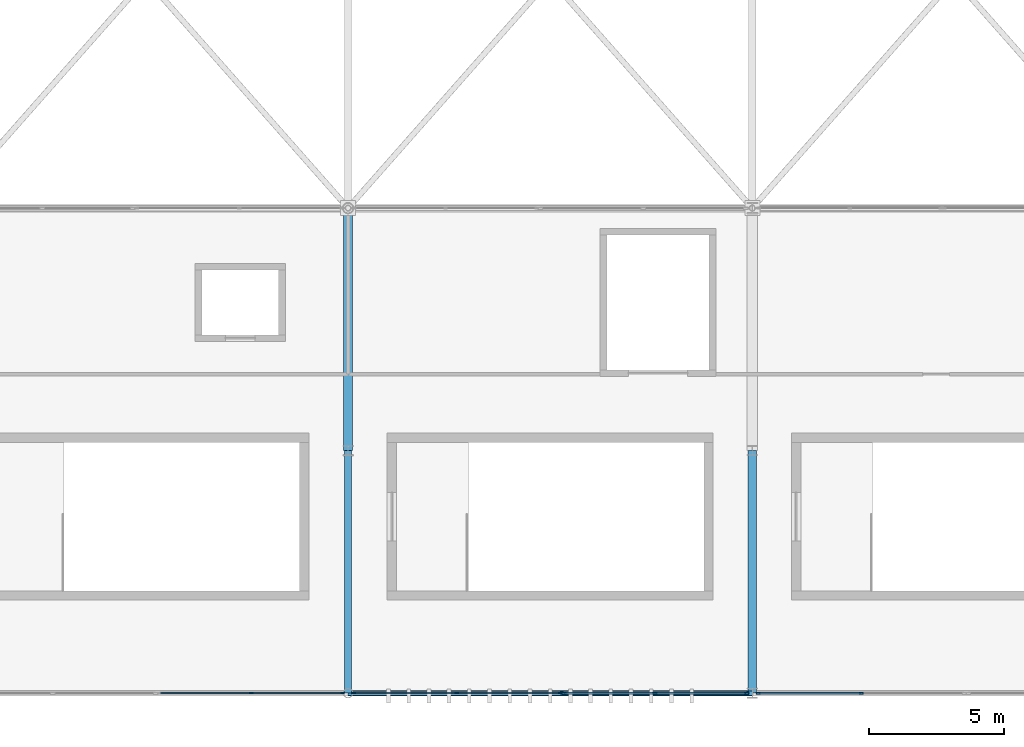
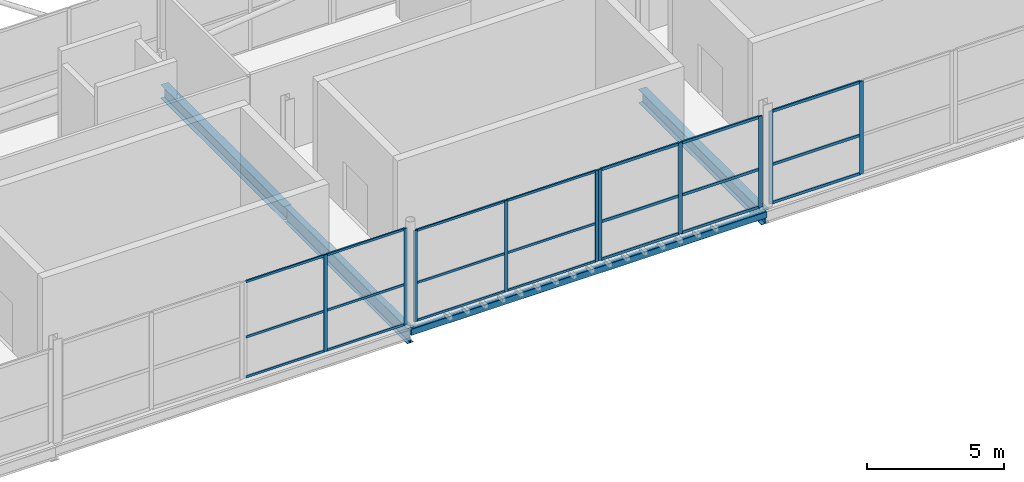
# One storey, part 48 of 224: 31 members, 4 beams, 4 elements without a shape of their own.
"""IFC4 building model written with IfcOpenShell, lengths in metres."""

from ifc_helpers import new_model, si_unit, direction, frame, origin, origin_2d, place, context, subcontext, project, spatial, rectangle, hollow_rectangle, i_section, extrude, material, layer, layer_set, material_profile, profile_set, type_object, element, aggregate, save


model = new_model("IFC4")

# Units and contexts
model_context = context("Model", 3, precision=1e-05, world=origin(), true_north=direction((0.0, 1.0)))
body_context = subcontext(model_context, "Body", "Model", "MODEL_VIEW")
ifc_project = project(units=[si_unit("LENGTHUNIT", "METRE"), si_unit("AREAUNIT", "SQUARE_METRE"), si_unit("VOLUMEUNIT", "CUBIC_METRE"), si_unit("PLANEANGLEUNIT", "RADIAN"), si_unit("MASSUNIT", "GRAM", prefix="KILO")], contexts=[model_context])

# Site, building, storey
site_placement = place(None, origin())
site = spatial("IfcSite", under=ifc_project, at=site_placement, CompositionType="ELEMENT")
building_placement = place(site_placement, origin())
building = spatial("IfcBuilding", under=site, at=building_placement, Name="Qamarlyn Nura Convention Centre", CompositionType="ELEMENT")
storey_placement = place(building_placement, frame((0.0, 0.0, 10.800048828125)))
storey = spatial("IfcBuildingStorey", under=building, at=storey_placement, Name="L02", CompositionType="ELEMENT", Elevation=10.800048828125)

# Beams
ifc_material_1 = material(Name="Steel ASTM A992", Category="steel")
ifc_material_profile_1 = material_profile(ifc_material_1, i_section(OverallWidth=0.323974609375, OverallDepth=0.611083984375, WebThickness=0.0126953125, FlangeThickness=0.01904296875, FilletRadius=0.01611328125, at=origin_2d()), Name="W610X155")
ifc_profile_set_1 = profile_set([ifc_material_profile_1], Name="Steel ASTM A992")
beam_type_1 = type_object("IfcBeamType", Name="BM-GIRD-610", PredefinedType="BEAM", material=ifc_profile_set_1)
for number, where, z_axis, x_axis, name in (
    (1, (90.0, 9.0, -0.525634765625), (0.0, 1.0, 0.0), (-1.0, 0.0, 0.0), "L02 girder 7 B-C"),
    (2, (105.0, 0.0, -0.525634765625), (0.0, 1.0, 0.0), (-1.0, 0.0, 0.0), "L02 girder 8 A-B"),
):
    element("IfcBeam", number, at=place(storey_placement, frame(where, z_axis=z_axis, x_axis=x_axis)), inside=storey, type_object=beam_type_1, Name=name, PredefinedType="BEAM", context=body_context, shape_type="SweptSolid", body=[
        extrude(i_section(OverallWidth=0.323974609375, OverallDepth=0.611083984375, WebThickness=0.0126953125, FlangeThickness=0.01904296875, FilletRadius=0.01611328125, at=origin_2d()), origin(), (0.0, 0.0, 1.0), 9.0),
    ])
ifc_material_profile_2 = material_profile(ifc_material_1, i_section(OverallWidth=0.25390625, OverallDepth=0.68408203125, WebThickness=0.012451171875, FlangeThickness=0.01904296875, FilletRadius=0.01806640625, at=origin_2d()), Name="W690X140")
ifc_profile_set_2 = profile_set([ifc_material_profile_2], Name="Steel ASTM A992")
beam_type_2 = type_object("IfcBeamType", Name="BM-GIRD-690B", PredefinedType="BEAM", material=ifc_profile_set_2)
beam_1_placement = place(storey_placement, frame((90.0, 0.0, -0.56201171875), z_axis=(0.0, 1.0, 0.0), x_axis=(-1.0, 0.0, 0.0)))
element("IfcBeam", 3, at=beam_1_placement, inside=storey, type_object=beam_type_2, Name="L02 girder 7 A-B", PredefinedType="BEAM", context=body_context, shape_type="SweptSolid", body=[
    extrude(i_section(OverallWidth=0.25390625, OverallDepth=0.68408203125, WebThickness=0.012451171875, FlangeThickness=0.01904296875, FilletRadius=0.01806640625, at=origin_2d()), origin(), (0.0, 0.0, 1.0), 9.0),
])
ifc_material_2 = material(Name="Steel ASTM A500 Grade C", Category="steel")
ifc_material_profile_3 = material_profile(ifc_material_2, hollow_rectangle(XDim=0.199951171875, YDim=0.300048828125, WallThickness=0.012451171875, InnerFilletRadius=0.012451171875, OuterFilletRadius=0.02490234375, at=origin_2d()), Name="HSS300X200X12.5")
ifc_profile_set_3 = profile_set([ifc_material_profile_3], Name="Steel ASTM A500 Grade C")
beam_type_3 = type_object("IfcBeamType", Name="BM-SPAN-HSS", PredefinedType="SPANDREL", material=ifc_profile_set_3)
beam_2_placement = place(storey_placement, frame((90.0, 0.0, -0.3701171875), z_axis=(1.0, 0.0, 0.0), x_axis=(0.0, 1.0, 0.0)))
element("IfcBeam", 4, at=beam_2_placement, inside=storey, type_object=beam_type_3, Name="L02 girder A 7-8", PredefinedType="SPANDREL", context=body_context, shape_type="SweptSolid", body=[
    extrude(hollow_rectangle(XDim=0.199951171875, YDim=0.300048828125, WallThickness=0.012451171875, InnerFilletRadius=0.012451171875, OuterFilletRadius=0.02490234375, at=origin_2d()), origin(), (0.0, 0.0, 1.0), 15.0),
])

# Curtain wall, members
ifc_material_3 = material(Name="Double-silver low-E insulated glass", Category="glass")
ifc_layer_1 = layer(ifc_material_3, 0.179931640625, Name="CW-UNIT-27")
ifc_layer_set_1 = layer_set([ifc_layer_1], Name="Double-silver low-E insulated glass")
curtain_wall_type_1 = type_object("IfcCurtainWallType", Name="CW-UNIT-27", PredefinedType="NOTDEFINED", material=ifc_layer_set_1)
curtain_wall_1_placement = place(storey_placement, origin())
curtain_wall_1 = element("IfcCurtainWall", 5, at=curtain_wall_1_placement, inside=storey, type_object=curtain_wall_type_1, Name="L02 unitised curtain wall SF-S2-1A", PredefinedType="NOTDEFINED")
ifc_material_4 = material(Name="Champagne-anodised marine aluminium", Category="aluminium")
ifc_material_profile_4 = material_profile(ifc_material_4, rectangle(XDim=0.06005859375, YDim=0.139892578125, at=origin_2d()), Name="ALU MULLION 60x140")
ifc_profile_set_4 = profile_set([ifc_material_profile_4], Name="Champagne-anodised marine aluminium")
member_type_1 = type_object("IfcMemberType", Name="CWM-140", PredefinedType="MULLION", material=ifc_profile_set_4)
member_1_placement = place(storey_placement, frame((89.792236328125, 0.0, 0.0), z_axis=(0.0, 0.0, 1.0), x_axis=(0.0, -1.0, 0.0)))
member_1 = element("IfcMember", 6, at=member_1_placement, type_object=member_type_1, Name="CW27 mullion 1", PredefinedType="MULLION", context=body_context, shape_type="SweptSolid", body=[
    extrude(rectangle(XDim=0.06005859375, YDim=0.139892578125, at=origin_2d()), origin(), (0.0, 0.0, 1.0), 4.31005859375),
])
member_2_placement = place(storey_placement, frame((86.40234375, 0.0, 0.0), z_axis=(0.0, 0.0, 1.0), x_axis=(0.0, -1.0, 0.0)))
member_2 = element("IfcMember", 7, at=member_2_placement, type_object=member_type_1, Name="CW27 mullion 2", PredefinedType="MULLION", context=body_context, shape_type="SweptSolid", body=[
    extrude(rectangle(XDim=0.06005859375, YDim=0.139892578125, at=origin_2d()), origin(), (0.0, 0.0, 1.0), 4.31005859375),
])

ifc_layer_2 = layer(ifc_material_3, 0.179931640625, Name="CW-UNIT-30")
ifc_layer_set_2 = layer_set([ifc_layer_2], Name="Double-silver low-E insulated glass")
curtain_wall_type_2 = type_object("IfcCurtainWallType", Name="CW-UNIT-30", PredefinedType="NOTDEFINED", material=ifc_layer_set_2)
curtain_wall_2_placement = place(storey_placement, origin())
curtain_wall_2 = element("IfcCurtainWall", 8, at=curtain_wall_2_placement, inside=storey, type_object=curtain_wall_type_2, Name="L02 unitised curtain wall SF-S3-1B", PredefinedType="NOTDEFINED")
member_3_placement = place(storey_placement, frame((97.864501953125, 0.0, 0.0), z_axis=(0.0, 0.0, 1.0), x_axis=(0.0, -1.0, 0.0)))
member_3 = element("IfcMember", 9, at=member_3_placement, type_object=member_type_1, Name="CW30 mullion 1", PredefinedType="MULLION", context=body_context, shape_type="SweptSolid", body=[
    extrude(rectangle(XDim=0.06005859375, YDim=0.139892578125, at=origin_2d()), origin(), (0.0, 0.0, 1.0), 4.071044921875),
])
member_4_placement = place(storey_placement, frame((94.0361328125, 0.0, 0.0), z_axis=(0.0, 0.0, 1.0), x_axis=(0.0, -1.0, 0.0)))
member_4 = element("IfcMember", 10, at=member_4_placement, type_object=member_type_1, Name="CW30 mullion 2", PredefinedType="MULLION", context=body_context, shape_type="SweptSolid", body=[
    extrude(rectangle(XDim=0.06005859375, YDim=0.139892578125, at=origin_2d()), origin(), (0.0, 0.0, 1.0), 4.071044921875),
])
member_5_placement = place(storey_placement, frame((90.207763671875, 0.0, 0.0), z_axis=(0.0, 0.0, 1.0), x_axis=(0.0, -1.0, 0.0)))
member_5 = element("IfcMember", 11, at=member_5_placement, type_object=member_type_1, Name="CW30 mullion 3", PredefinedType="MULLION", context=body_context, shape_type="SweptSolid", body=[
    extrude(rectangle(XDim=0.06005859375, YDim=0.139892578125, at=origin_2d()), origin(), (0.0, 0.0, 1.0), 4.071044921875),
])

ifc_layer_3 = layer(ifc_material_3, 0.179931640625, Name="CW-UNIT-29")
ifc_layer_set_3 = layer_set([ifc_layer_3], Name="Double-silver low-E insulated glass")
curtain_wall_type_3 = type_object("IfcCurtainWallType", Name="CW-UNIT-29", PredefinedType="NOTDEFINED", material=ifc_layer_set_3)
curtain_wall_3_placement = place(storey_placement, origin())
curtain_wall_3 = element("IfcCurtainWall", 12, at=curtain_wall_3_placement, inside=storey, type_object=curtain_wall_type_3, Name="L02 unitised curtain wall SF-S3-1A", PredefinedType="NOTDEFINED")
ifc_material_profile_5 = material_profile(ifc_material_4, rectangle(XDim=0.06494140625, YDim=0.159912109375, at=origin_2d()), Name="ALU MULLION 65x160")
ifc_profile_set_5 = profile_set([ifc_material_profile_5], Name="Champagne-anodised marine aluminium")
member_type_2 = type_object("IfcMemberType", Name="CWM-160", PredefinedType="MULLION", material=ifc_profile_set_5)
member_6_placement = place(storey_placement, frame((104.780517578125, 0.0, 0.0), z_axis=(0.0, 0.0, 1.0), x_axis=(0.0, -1.0, 0.0)))
member_6 = element("IfcMember", 13, at=member_6_placement, type_object=member_type_2, Name="CW29 mullion 1", PredefinedType="MULLION", context=body_context, shape_type="SweptSolid", body=[
    extrude(rectangle(XDim=0.06494140625, YDim=0.159912109375, at=origin_2d()), origin(), (0.0, 0.0, 1.0), 4.071044921875),
])
member_7_placement = place(storey_placement, frame((101.393798828125, 0.0, 0.0), z_axis=(0.0, 0.0, 1.0), x_axis=(0.0, -1.0, 0.0)))
member_7 = element("IfcMember", 14, at=member_7_placement, type_object=member_type_2, Name="CW29 mullion 2", PredefinedType="MULLION", context=body_context, shape_type="SweptSolid", body=[
    extrude(rectangle(XDim=0.06494140625, YDim=0.159912109375, at=origin_2d()), origin(), (0.0, 0.0, 1.0), 4.071044921875),
])
member_8_placement = place(storey_placement, frame((98.007080078125, 0.0, 0.0), z_axis=(0.0, 0.0, 1.0), x_axis=(0.0, -1.0, 0.0)))
member_8 = element("IfcMember", 15, at=member_8_placement, type_object=member_type_2, Name="CW29 mullion 3", PredefinedType="MULLION", context=body_context, shape_type="SweptSolid", body=[
    extrude(rectangle(XDim=0.06494140625, YDim=0.159912109375, at=origin_2d()), origin(), (0.0, 0.0, 1.0), 4.071044921875),
])

ifc_layer_4 = layer(ifc_material_3, 0.179931640625, Name="CW-UNIT-26")
ifc_layer_set_4 = layer_set([ifc_layer_4], Name="Double-silver low-E insulated glass")
curtain_wall_type_4 = type_object("IfcCurtainWallType", Name="CW-UNIT-26", PredefinedType="NOTDEFINED", material=ifc_layer_set_4)
curtain_wall_4_placement = place(storey_placement, origin())
curtain_wall_4 = element("IfcCurtainWall", 16, at=curtain_wall_4_placement, inside=storey, type_object=curtain_wall_type_4, Name="L02 unitised curtain wall SF-S4-1B", PredefinedType="NOTDEFINED")
member_9_placement = place(storey_placement, frame((109.04345703125, 0.0, 0.0), z_axis=(0.0, 0.0, 1.0), x_axis=(0.0, -1.0, 0.0)))
member_9 = element("IfcMember", 17, at=member_9_placement, type_object=member_type_2, Name="CW26 mullion 2", PredefinedType="MULLION", context=body_context, shape_type="SweptSolid", body=[
    extrude(rectangle(XDim=0.06494140625, YDim=0.159912109375, at=origin_2d()), origin(), (0.0, 0.0, 1.0), 4.14404296875),
])
member_10_placement = place(storey_placement, frame((105.219482421875, 0.0, 0.0), z_axis=(0.0, 0.0, 1.0), x_axis=(0.0, -1.0, 0.0)))
member_10 = element("IfcMember", 18, at=member_10_placement, type_object=member_type_2, Name="CW26 mullion 3", PredefinedType="MULLION", context=body_context, shape_type="SweptSolid", body=[
    extrude(rectangle(XDim=0.06494140625, YDim=0.159912109375, at=origin_2d()), origin(), (0.0, 0.0, 1.0), 4.14404296875),
])

# Member
ifc_material_profile_6 = material_profile(ifc_material_4, rectangle(XDim=0.06005859375, YDim=0.10009765625, at=origin_2d()), Name="ALU TRANSOM 60x100")
ifc_profile_set_6 = profile_set([ifc_material_profile_6], Name="Champagne-anodised marine aluminium")
member_type_3 = type_object("IfcMemberType", Name="CWT-100", PredefinedType="USERDEFINED", material=ifc_profile_set_6)
member_11_placement = place(storey_placement, frame((89.76220703125, 0.0, 0.030029296875), z_axis=(-1.0, 0.0, 0.0), x_axis=(0.0, -1.0, 0.0)))
member_11 = element("IfcMember", 19, at=member_11_placement, type_object=member_type_3, Name="CW27 transom 1.1", ObjectType="TRANSOM", PredefinedType="USERDEFINED", context=body_context, shape_type="SweptSolid", body=[
    extrude(rectangle(XDim=0.06005859375, YDim=0.10009765625, at=origin_2d()), origin(), (0.0, 0.0, 1.0), 3.329833984375),
])

member_12_placement = place(storey_placement, frame((89.76220703125, 0.0, 1.81005859375), z_axis=(-1.0, 0.0, 0.0), x_axis=(0.0, -1.0, 0.0)))
member_12 = element("IfcMember", 20, at=member_12_placement, type_object=member_type_3, Name="CW27 transom 1.2", ObjectType="TRANSOM", PredefinedType="USERDEFINED", context=body_context, shape_type="SweptSolid", body=[
    extrude(rectangle(XDim=0.06005859375, YDim=0.10009765625, at=origin_2d()), origin(), (0.0, 0.0, 1.0), 3.329833984375),
])

member_13_placement = place(storey_placement, frame((89.76220703125, 0.0, 4.280029296875), z_axis=(-1.0, 0.0, 0.0), x_axis=(0.0, -1.0, 0.0)))
member_13 = element("IfcMember", 21, at=member_13_placement, type_object=member_type_3, Name="CW27 transom 1.3", ObjectType="TRANSOM", PredefinedType="USERDEFINED", context=body_context, shape_type="SweptSolid", body=[
    extrude(rectangle(XDim=0.06005859375, YDim=0.10009765625, at=origin_2d()), origin(), (0.0, 0.0, 1.0), 3.329833984375),
])

member_14_placement = place(storey_placement, frame((86.372314453125, 0.0, 0.030029296875), z_axis=(-1.0, 0.0, 0.0), x_axis=(0.0, -1.0, 0.0)))
member_14 = element("IfcMember", 22, at=member_14_placement, type_object=member_type_3, Name="CW27 transom 2.1", ObjectType="TRANSOM", PredefinedType="USERDEFINED", context=body_context, shape_type="SweptSolid", body=[
    extrude(rectangle(XDim=0.06005859375, YDim=0.10009765625, at=origin_2d()), origin(), (0.0, 0.0, 1.0), 3.329833984375),
])

member_15_placement = place(storey_placement, frame((86.372314453125, 0.0, 1.81005859375), z_axis=(-1.0, 0.0, 0.0), x_axis=(0.0, -1.0, 0.0)))
member_15 = element("IfcMember", 23, at=member_15_placement, type_object=member_type_3, Name="CW27 transom 2.2", ObjectType="TRANSOM", PredefinedType="USERDEFINED", context=body_context, shape_type="SweptSolid", body=[
    extrude(rectangle(XDim=0.06005859375, YDim=0.10009765625, at=origin_2d()), origin(), (0.0, 0.0, 1.0), 3.329833984375),
])

member_16_placement = place(storey_placement, frame((86.372314453125, 0.0, 4.280029296875), z_axis=(-1.0, 0.0, 0.0), x_axis=(0.0, -1.0, 0.0)))
member_16 = element("IfcMember", 24, at=member_16_placement, type_object=member_type_3, Name="CW27 transom 2.3", ObjectType="TRANSOM", PredefinedType="USERDEFINED", context=body_context, shape_type="SweptSolid", body=[
    extrude(rectangle(XDim=0.06005859375, YDim=0.10009765625, at=origin_2d()), origin(), (0.0, 0.0, 1.0), 3.329833984375),
])

aggregate(curtain_wall_1, [member_1, member_2, member_11, member_12, member_13, member_14, member_15, member_16])

member_17_placement = place(storey_placement, frame((97.83447265625, 0.0, 0.030029296875), z_axis=(-1.0, 0.0, 0.0), x_axis=(0.0, -1.0, 0.0)))
member_17 = element("IfcMember", 25, at=member_17_placement, type_object=member_type_3, Name="CW30 transom 1.1", ObjectType="TRANSOM", PredefinedType="USERDEFINED", context=body_context, shape_type="SweptSolid", body=[
    extrude(rectangle(XDim=0.06005859375, YDim=0.10009765625, at=origin_2d()), origin(), (0.0, 0.0, 1.0), 3.768310546875),
])

member_18_placement = place(storey_placement, frame((97.83447265625, 0.0, 1.7099609375), z_axis=(-1.0, 0.0, 0.0), x_axis=(0.0, -1.0, 0.0)))
member_18 = element("IfcMember", 26, at=member_18_placement, type_object=member_type_3, Name="CW30 transom 1.2", ObjectType="TRANSOM", PredefinedType="USERDEFINED", context=body_context, shape_type="SweptSolid", body=[
    extrude(rectangle(XDim=0.06005859375, YDim=0.10009765625, at=origin_2d()), origin(), (0.0, 0.0, 1.0), 3.768310546875),
])

member_19_placement = place(storey_placement, frame((97.83447265625, 0.0, 4.041015625), z_axis=(-1.0, 0.0, 0.0), x_axis=(0.0, -1.0, 0.0)))
member_19 = element("IfcMember", 27, at=member_19_placement, type_object=member_type_3, Name="CW30 transom 1.3", ObjectType="TRANSOM", PredefinedType="USERDEFINED", context=body_context, shape_type="SweptSolid", body=[
    extrude(rectangle(XDim=0.06005859375, YDim=0.10009765625, at=origin_2d()), origin(), (0.0, 0.0, 1.0), 3.768310546875),
])

member_20_placement = place(storey_placement, frame((94.006103515625, 0.0, 0.030029296875), z_axis=(-1.0, 0.0, 0.0), x_axis=(0.0, -1.0, 0.0)))
member_20 = element("IfcMember", 28, at=member_20_placement, type_object=member_type_3, Name="CW30 transom 2.1", ObjectType="TRANSOM", PredefinedType="USERDEFINED", context=body_context, shape_type="SweptSolid", body=[
    extrude(rectangle(XDim=0.06005859375, YDim=0.10009765625, at=origin_2d()), origin(), (0.0, 0.0, 1.0), 3.768310546875),
])

member_21_placement = place(storey_placement, frame((94.006103515625, 0.0, 1.7099609375), z_axis=(-1.0, 0.0, 0.0), x_axis=(0.0, -1.0, 0.0)))
member_21 = element("IfcMember", 29, at=member_21_placement, type_object=member_type_3, Name="CW30 transom 2.2", ObjectType="TRANSOM", PredefinedType="USERDEFINED", context=body_context, shape_type="SweptSolid", body=[
    extrude(rectangle(XDim=0.06005859375, YDim=0.10009765625, at=origin_2d()), origin(), (0.0, 0.0, 1.0), 3.768310546875),
])

member_22_placement = place(storey_placement, frame((94.006103515625, 0.0, 4.041015625), z_axis=(-1.0, 0.0, 0.0), x_axis=(0.0, -1.0, 0.0)))
member_22 = element("IfcMember", 30, at=member_22_placement, type_object=member_type_3, Name="CW30 transom 2.3", ObjectType="TRANSOM", PredefinedType="USERDEFINED", context=body_context, shape_type="SweptSolid", body=[
    extrude(rectangle(XDim=0.06005859375, YDim=0.10009765625, at=origin_2d()), origin(), (0.0, 0.0, 1.0), 3.768310546875),
])

aggregate(curtain_wall_2, [member_3, member_4, member_5, member_17, member_18, member_19, member_20, member_21, member_22])

ifc_material_profile_7 = material_profile(ifc_material_4, rectangle(XDim=0.06494140625, YDim=0.1201171875, at=origin_2d()), Name="ALU TRANSOM 65x120")
ifc_profile_set_7 = profile_set([ifc_material_profile_7], Name="Champagne-anodised marine aluminium")
member_type_4 = type_object("IfcMemberType", Name="CWT-120", PredefinedType="USERDEFINED", material=ifc_profile_set_7)
member_23_placement = place(storey_placement, frame((104.748046875, 0.0, 0.032470703125), z_axis=(-1.0, 0.0, 0.0), x_axis=(0.0, -1.0, 0.0)))
member_23 = element("IfcMember", 31, at=member_23_placement, type_object=member_type_4, Name="CW29 transom 1.1", ObjectType="TRANSOM", PredefinedType="USERDEFINED", context=body_context, shape_type="SweptSolid", body=[
    extrude(rectangle(XDim=0.06494140625, YDim=0.1201171875, at=origin_2d()), origin(), (0.0, 0.0, 1.0), 3.32177734375),
])

member_24_placement = place(storey_placement, frame((104.748046875, 0.0, 1.7099609375), z_axis=(-1.0, 0.0, 0.0), x_axis=(0.0, -1.0, 0.0)))
member_24 = element("IfcMember", 32, at=member_24_placement, type_object=member_type_4, Name="CW29 transom 1.2", ObjectType="TRANSOM", PredefinedType="USERDEFINED", context=body_context, shape_type="SweptSolid", body=[
    extrude(rectangle(XDim=0.06494140625, YDim=0.1201171875, at=origin_2d()), origin(), (0.0, 0.0, 1.0), 3.32177734375),
])

member_25_placement = place(storey_placement, frame((104.748046875, 0.0, 4.038330078125), z_axis=(-1.0, 0.0, 0.0), x_axis=(0.0, -1.0, 0.0)))
member_25 = element("IfcMember", 33, at=member_25_placement, type_object=member_type_4, Name="CW29 transom 1.3", ObjectType="TRANSOM", PredefinedType="USERDEFINED", context=body_context, shape_type="SweptSolid", body=[
    extrude(rectangle(XDim=0.06494140625, YDim=0.1201171875, at=origin_2d()), origin(), (0.0, 0.0, 1.0), 3.32177734375),
])

member_26_placement = place(storey_placement, frame((101.361328125, 0.0, 0.032470703125), z_axis=(-1.0, 0.0, 0.0), x_axis=(0.0, -1.0, 0.0)))
member_26 = element("IfcMember", 34, at=member_26_placement, type_object=member_type_4, Name="CW29 transom 2.1", ObjectType="TRANSOM", PredefinedType="USERDEFINED", context=body_context, shape_type="SweptSolid", body=[
    extrude(rectangle(XDim=0.06494140625, YDim=0.1201171875, at=origin_2d()), origin(), (0.0, 0.0, 1.0), 3.32177734375),
])

member_27_placement = place(storey_placement, frame((101.361328125, 0.0, 1.7099609375), z_axis=(-1.0, 0.0, 0.0), x_axis=(0.0, -1.0, 0.0)))
member_27 = element("IfcMember", 35, at=member_27_placement, type_object=member_type_4, Name="CW29 transom 2.2", ObjectType="TRANSOM", PredefinedType="USERDEFINED", context=body_context, shape_type="SweptSolid", body=[
    extrude(rectangle(XDim=0.06494140625, YDim=0.1201171875, at=origin_2d()), origin(), (0.0, 0.0, 1.0), 3.32177734375),
])

member_28_placement = place(storey_placement, frame((101.361328125, 0.0, 4.038330078125), z_axis=(-1.0, 0.0, 0.0), x_axis=(0.0, -1.0, 0.0)))
member_28 = element("IfcMember", 36, at=member_28_placement, type_object=member_type_4, Name="CW29 transom 2.3", ObjectType="TRANSOM", PredefinedType="USERDEFINED", context=body_context, shape_type="SweptSolid", body=[
    extrude(rectangle(XDim=0.06494140625, YDim=0.1201171875, at=origin_2d()), origin(), (0.0, 0.0, 1.0), 3.32177734375),
])

aggregate(curtain_wall_3, [member_6, member_7, member_8, member_23, member_24, member_25, member_26, member_27, member_28])

member_29_placement = place(storey_placement, frame((109.010986328125, 0.0, 0.032470703125), z_axis=(-1.0, 0.0, 0.0), x_axis=(0.0, -1.0, 0.0)))
member_29 = element("IfcMember", 37, at=member_29_placement, type_object=member_type_4, Name="CW26 transom 2.1", ObjectType="TRANSOM", PredefinedType="USERDEFINED", context=body_context, shape_type="SweptSolid", body=[
    extrude(rectangle(XDim=0.06494140625, YDim=0.1201171875, at=origin_2d()), origin(), (0.0, 0.0, 1.0), 3.759033203125),
])

member_30_placement = place(storey_placement, frame((109.010986328125, 0.0, 1.739990234375), z_axis=(-1.0, 0.0, 0.0), x_axis=(0.0, -1.0, 0.0)))
member_30 = element("IfcMember", 38, at=member_30_placement, type_object=member_type_4, Name="CW26 transom 2.2", ObjectType="TRANSOM", PredefinedType="USERDEFINED", context=body_context, shape_type="SweptSolid", body=[
    extrude(rectangle(XDim=0.06494140625, YDim=0.1201171875, at=origin_2d()), origin(), (0.0, 0.0, 1.0), 3.759033203125),
])

member_31_placement = place(storey_placement, frame((109.010986328125, 0.0, 4.111572265625), z_axis=(-1.0, 0.0, 0.0), x_axis=(0.0, -1.0, 0.0)))
member_31 = element("IfcMember", 39, at=member_31_placement, type_object=member_type_4, Name="CW26 transom 2.3", ObjectType="TRANSOM", PredefinedType="USERDEFINED", context=body_context, shape_type="SweptSolid", body=[
    extrude(rectangle(XDim=0.06494140625, YDim=0.1201171875, at=origin_2d()), origin(), (0.0, 0.0, 1.0), 3.759033203125),
])

aggregate(curtain_wall_4, [member_9, member_10, member_29, member_30, member_31])

save(model, "model.ifc")
